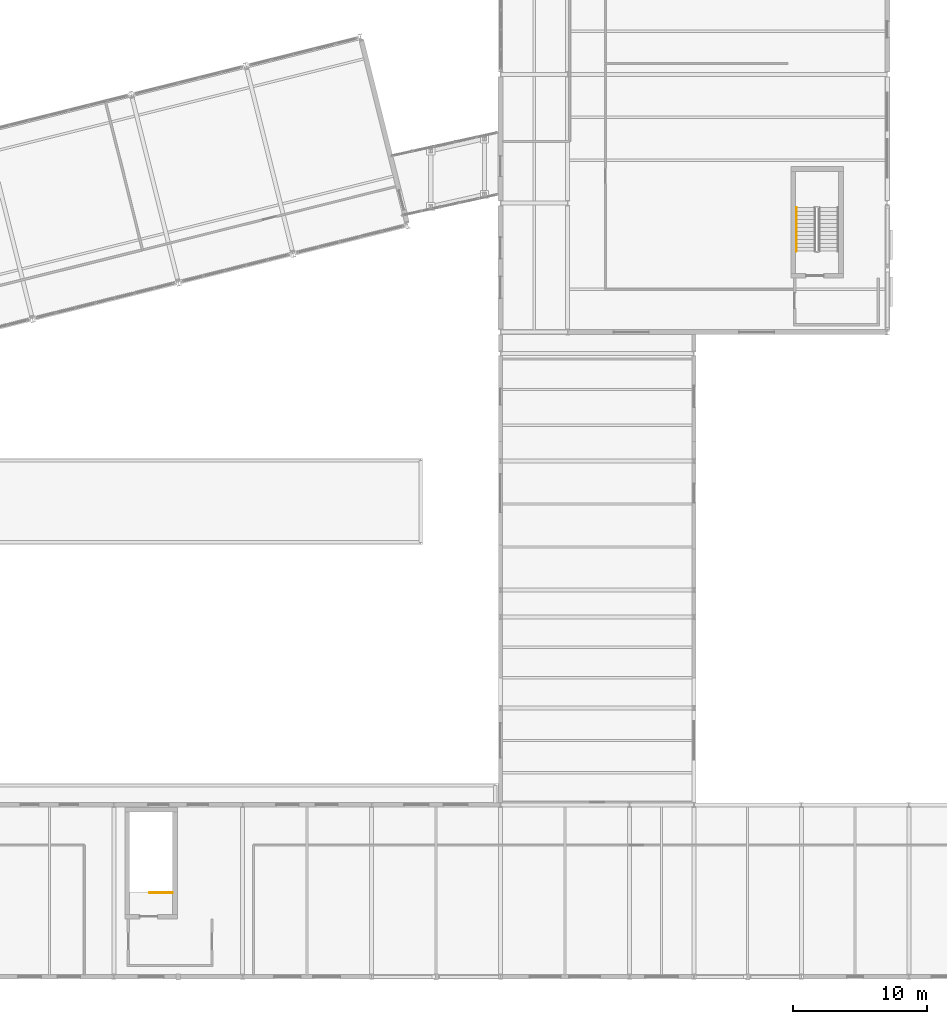
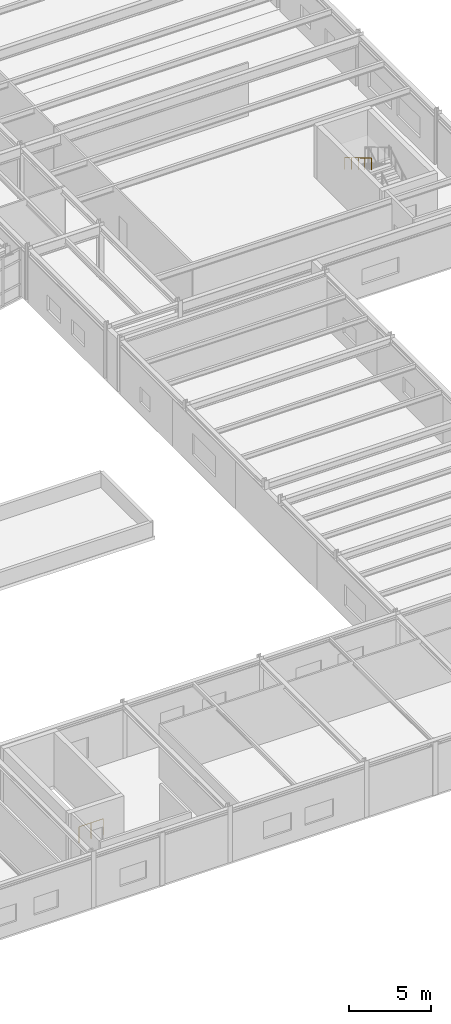
# One storey, part 93 of 99: 2 railings.
"""IFC4 building model written with IfcOpenShell, lengths in metres."""

from ifc_helpers import new_model, si_unit, direction, frame, origin, origin_2d, place, context, subcontext, project, spatial, circle, extrude, material, layer, layer_set, type_object, element, save


model = new_model("IFC4")

# Units and contexts
model_context = context("Model", 3, precision=1e-05, world=origin(), true_north=direction((0.0, 1.0)))
body_context = subcontext(model_context, "Body", "Model", "MODEL_VIEW")
ifc_project = project(units=[si_unit("LENGTHUNIT", "METRE"), si_unit("AREAUNIT", "SQUARE_METRE"), si_unit("VOLUMEUNIT", "CUBIC_METRE"), si_unit("PLANEANGLEUNIT", "RADIAN"), si_unit("MASSUNIT", "GRAM", prefix="KILO")], contexts=[model_context])

# Site, building, storey
site_placement = place(None, origin())
site = spatial("IfcSite", under=ifc_project, at=site_placement, CompositionType="ELEMENT")
building_placement = place(site_placement, origin())
building = spatial("IfcBuilding", under=site, at=building_placement, Name="Nordkorset Police Headquarters", CompositionType="ELEMENT")
storey_placement = place(building_placement, frame((0.0, 0.0, 5.25)))
storey = spatial("IfcBuildingStorey", under=building, at=storey_placement, Name="L01", CompositionType="ELEMENT", Elevation=5.25)

# Railings
ifc_material_1 = material(Name="Steel S355J2", Category="steel")
ifc_layer_1 = layer(ifc_material_1, 0.048095703125, Name="Steel S355J2")
ifc_layer_set_1 = layer_set([ifc_layer_1], Name="Steel S355J2")
railing_type_1 = type_object("IfcRailingType", Name="Railing_Handrail_900", PredefinedType="HANDRAIL", material=ifc_layer_set_1)
railing_1_placement = place(storey_placement, frame((108.425048828125, 57.27001953125, 2.27490234375)))
element("IfcRailing", 1, at=railing_1_placement, inside=storey, type_object=railing_type_1, Name="L01 ST-09 stair handrail 2", PredefinedType="HANDRAIL", context=body_context, shape_type="SweptSolid", body=[
    extrude(circle(Radius=0.02392578125, at=origin_2d()), frame((0.0, 0.0, 0.8759765625), z_axis=(0.0, -0.860057060016, 0.510197857224), x_axis=(1.0, 0.0, 0.0)), (0.0, 0.0, 1.0), 3.773193359375),
    extrude(circle(Radius=0.02099609375, at=origin_2d()), origin(), (0.0, 0.0, 1.0), 0.851806640625),
    extrude(circle(Radius=0.02099609375, at=origin_2d()), frame((0.0, -0.811279296875, 0.481201171875)), (0.0, 0.0, 1.0), 0.851806640625),
    extrude(circle(Radius=0.02099609375, at=origin_2d()), frame((0.0, -1.62255859375, 0.96240234375)), (0.0, 0.0, 1.0), 0.851806640625),
    extrude(circle(Radius=0.02099609375, at=origin_2d()), frame((0.0, -2.433837890625, 1.44384765625)), (0.0, 0.0, 1.0), 0.851806640625),
    extrude(circle(Radius=0.02099609375, at=origin_2d()), frame((0.0, -3.2451171875, 1.925048828125)), (0.0, 0.0, 1.0), 0.851806640625),
])
ifc_material_2 = material(Name="Steel S355J2", Category="steel")
ifc_layer_2 = layer(ifc_material_2, 0.050048828125, Name="Steel S355J2")
ifc_layer_set_2 = layer_set([ifc_layer_2], Name="Steel S355J2")
railing_type_2 = type_object("IfcRailingType", Name="Railing_StairGuard_1200", PredefinedType="GUARDRAIL", material=ifc_layer_set_2)
railing_2_placement = place(storey_placement, frame((61.97509765625, 6.2548828125, 0.0)))
element("IfcRailing", 2, at=railing_2_placement, inside=storey, type_object=railing_type_2, Name="L01 ST-10 top well guard 1", PredefinedType="GUARDRAIL", context=body_context, shape_type="SweptSolid", body=[
    extrude(circle(Radius=0.02392578125, at=origin_2d()), frame((0.0, 0.0, 1.17578125), z_axis=(-1.0, 0.0, 0.0), x_axis=(0.0, -1.0, 0.0)), (0.0, 0.0, 1.0), 1.7001953125),
    extrude(circle(Radius=0.02099609375, at=origin_2d()), origin(), (0.0, 0.0, 1.0), 1.15185546875),
    extrude(circle(Radius=0.02099609375, at=origin_2d()), frame((-0.85009765625, 0.0, 0.0)), (0.0, 0.0, 1.0), 1.15185546875),
    extrude(circle(Radius=0.02099609375, at=origin_2d()), frame((-1.7001953125, 0.0, 0.0)), (0.0, 0.0, 1.0), 1.15185546875),
])

save(model, "model.ifc")
